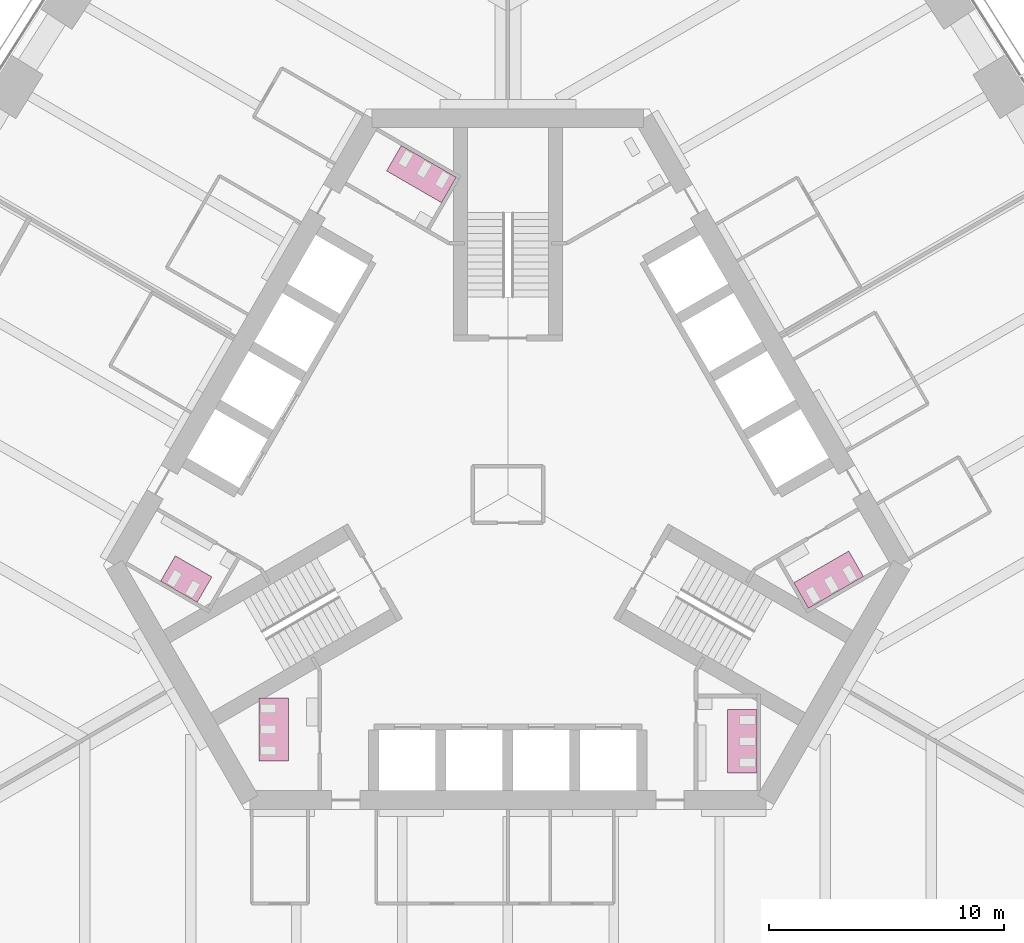
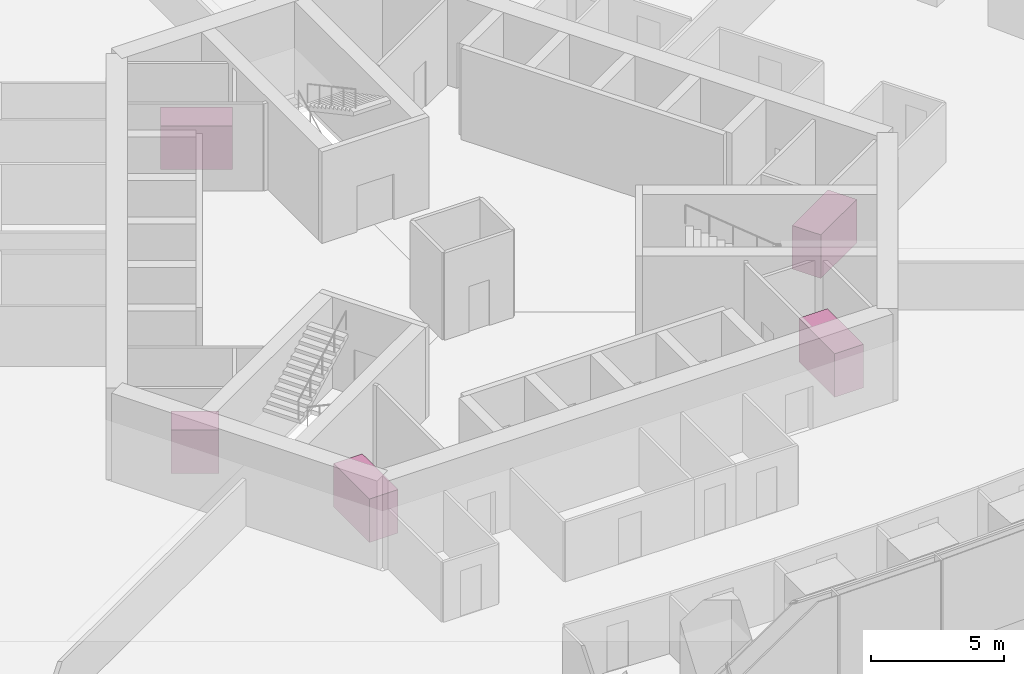
# One storey, part 18 of 18: 5 furniture elements.
"""IFC4 building model written with IfcOpenShell, lengths in metres."""

from ifc_helpers import new_model, si_unit, direction, frame, origin, place, context, subcontext, project, spatial, polyline, outline, extrude, material, type_object, element, save


model = new_model("IFC4")

# Units and contexts
model_context = context("Model", 3, precision=1e-05, world=origin(), true_north=direction((0.0, 1.0)))
body_context = subcontext(model_context, "Body", "Model", "MODEL_VIEW")
ifc_project = project(units=[si_unit("LENGTHUNIT", "METRE"), si_unit("AREAUNIT", "SQUARE_METRE"), si_unit("VOLUMEUNIT", "CUBIC_METRE"), si_unit("PLANEANGLEUNIT", "RADIAN"), si_unit("MASSUNIT", "GRAM", prefix="KILO")], contexts=[model_context])

# Site, building, storey
site_placement = place(None, origin())
site = spatial("IfcSite", under=ifc_project, at=site_placement, CompositionType="ELEMENT")
building_placement = place(site_placement, origin())
building = spatial("IfcBuilding", under=site, at=building_placement, Name="Trefoil Bronze Tower", CompositionType="ELEMENT")
storey_placement = place(building_placement, frame((0.0, 0.0, 71.10009765625)))
storey = spatial("IfcBuildingStorey", under=building, at=storey_placement, Name="L16", CompositionType="ELEMENT", Elevation=71.10009765625)

# Furniture
ifc_material_1 = material(Name="Compact laminate cubicles", Category="plastic")
furniture_type_1 = type_object("IfcFurnitureType", Name="WC cubicle range 2 cubicles", AssemblyPlace="FACTORY", PredefinedType="USERDEFINED", material=ifc_material_1)
furniture_1_placement = place(storey_placement, origin())
element("IfcFurniture", 1, at=furniture_1_placement, inside=storey, type_object=furniture_type_1, Name="WC cubicle range WC (men) L16", ObjectType="WC cubicle range", PredefinedType="USERDEFINED", context=body_context, shape_type="SweptSolid", body=[
    extrude(outline(polyline([(-12.591552734375, -3.50927734375), (-13.216552734375, -4.591796875), (-14.775390625, -3.69189453125), (-14.150390625, -2.609375), (-12.591552734375, -3.50927734375)])), origin(), (0.0, 0.0, 1.0), 2.0),
])
ifc_material_2 = material(Name="Compact laminate cubicles", Category="plastic")
furniture_type_2 = type_object("IfcFurnitureType", Name="WC cubicle range 3 cubicles", AssemblyPlace="FACTORY", PredefinedType="USERDEFINED", material=ifc_material_2)
furniture_2_placement = place(storey_placement, origin())
element("IfcFurniture", 2, at=furniture_2_placement, inside=storey, type_object=furniture_type_2, Name="WC cubicle range WC (men) L16", ObjectType="WC cubicle range", PredefinedType="USERDEFINED", context=body_context, shape_type="SweptSolid", body=[
    extrude(outline(polyline([(9.3349609375, -9.14990234375), (10.5849609375, -9.14990234375), (10.5849609375, -11.85009765625), (9.3349609375, -11.85009765625), (9.3349609375, -9.14990234375)])), origin(), (0.0, 0.0, 1.0), 2.0),
])
furniture_3_placement = place(storey_placement, origin())
element("IfcFurniture", 3, at=furniture_3_placement, inside=storey, type_object=furniture_type_2, Name="WC cubicle range WC (women) L16", ObjectType="WC cubicle range", PredefinedType="USERDEFINED", context=body_context, shape_type="SweptSolid", body=[
    extrude(outline(polyline([(12.15869140625, -3.75927734375), (12.78369140625, -4.841796875), (15.121826171875, -3.491943359375), (14.496826171875, -2.409423828125), (12.15869140625, -3.75927734375)])), origin(), (0.0, 0.0, 1.0), 2.0),
])
furniture_4_placement = place(storey_placement, origin())
element("IfcFurniture", 4, at=furniture_4_placement, inside=storey, type_object=furniture_type_2, Name="WC cubicle range WC (women) L16", ObjectType="WC cubicle range", PredefinedType="USERDEFINED", context=body_context, shape_type="SweptSolid", body=[
    extrude(outline(polyline([(-2.82373046875, 12.409423828125), (-2.19873046875, 13.491943359375), (-4.536865234375, 14.841796875), (-5.161865234375, 13.75927734375), (-2.82373046875, 12.409423828125)])), origin(), (0.0, 0.0, 1.0), 2.0),
])
furniture_5_placement = place(storey_placement, origin())
element("IfcFurniture", 5, at=furniture_5_placement, inside=storey, type_object=furniture_type_2, Name="WC cubicle range WC (women) L16", ObjectType="WC cubicle range", PredefinedType="USERDEFINED", context=body_context, shape_type="SweptSolid", body=[
    extrude(outline(polyline([(-9.3349609375, -8.64990234375), (-10.5849609375, -8.64990234375), (-10.5849609375, -11.35009765625), (-9.3349609375, -11.35009765625), (-9.3349609375, -8.64990234375)])), origin(), (0.0, 0.0, 1.0), 2.0),
])

save(model, "model.ifc")
